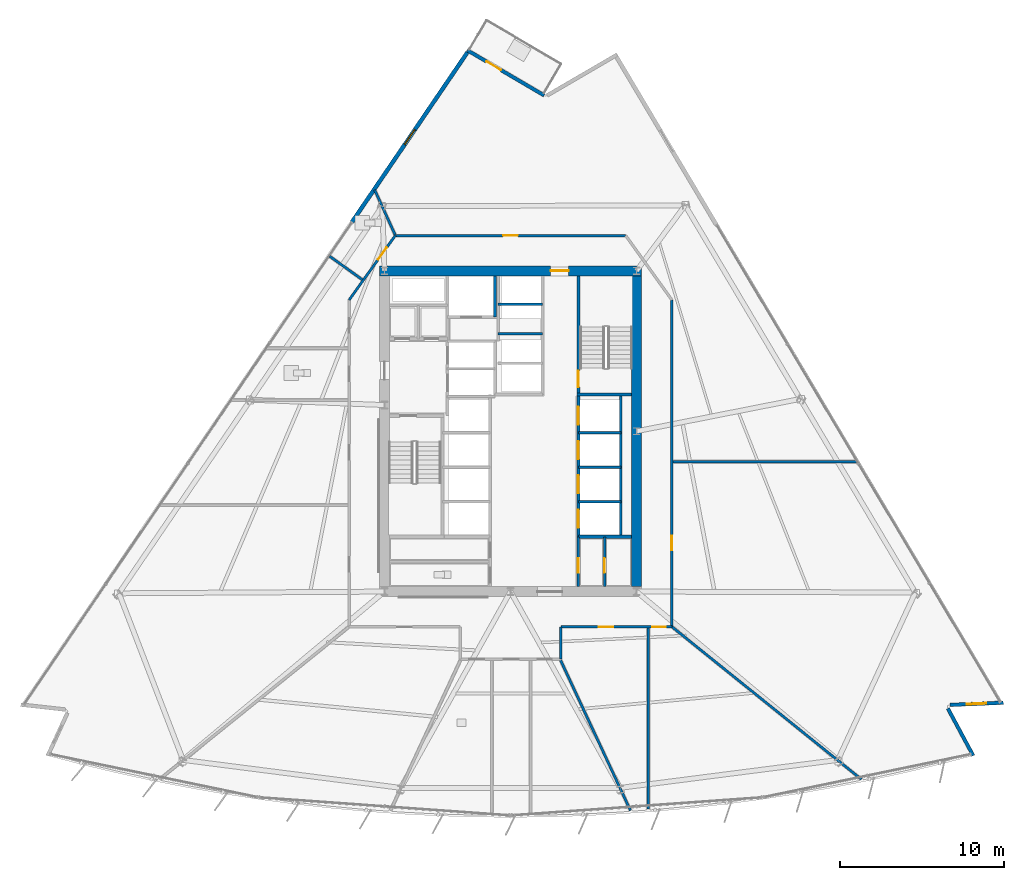
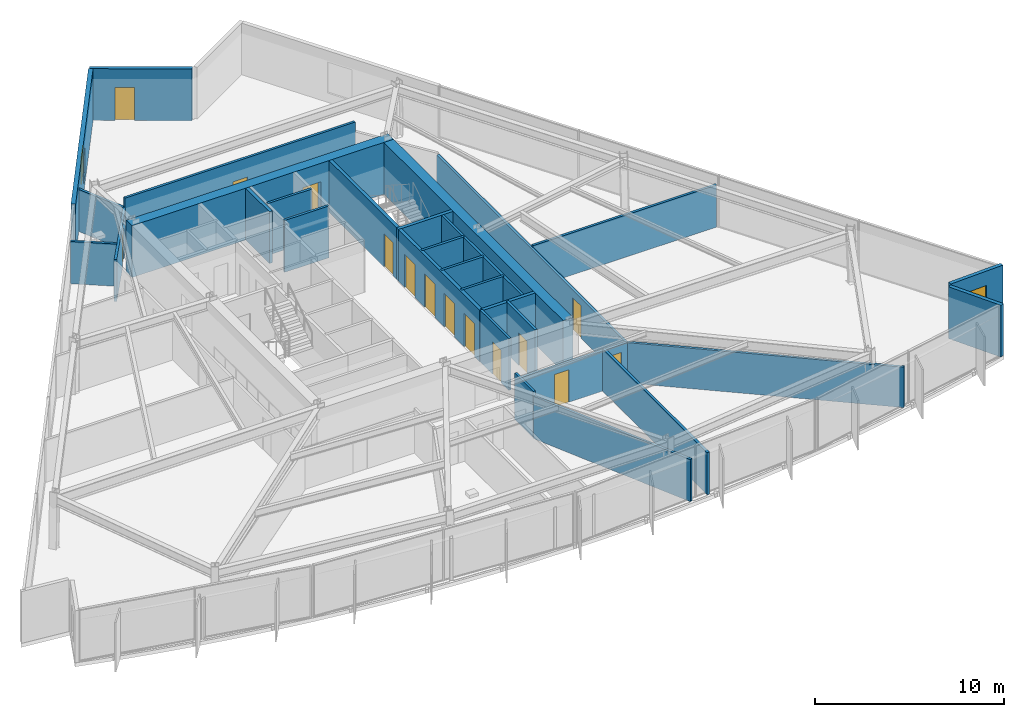
# One storey, part 10 of 18: 30 walls, 14 doors, 2 windows, 16 openings.
"""IFC4 building model written with IfcOpenShell, lengths in metres."""

from ifc_helpers import new_model, si_unit, direction, frame, frame_2d, origin, place, context, subcontext, project, spatial, rectangle, extrude, material, layer, layer_set, type_object, element, fill, save


model = new_model("IFC4")

# Units and contexts
model_context = context("Model", 3, precision=1e-05, world=origin(), true_north=direction((0.0, 1.0)))
body_context = subcontext(model_context, "Body", "Model", "MODEL_VIEW")
ifc_project = project(units=[si_unit("LENGTHUNIT", "METRE"), si_unit("AREAUNIT", "SQUARE_METRE"), si_unit("VOLUMEUNIT", "CUBIC_METRE"), si_unit("PLANEANGLEUNIT", "RADIAN"), si_unit("MASSUNIT", "GRAM", prefix="KILO")], contexts=[model_context])

# Site, building, storey
site_placement = place(None, origin())
site = spatial("IfcSite", under=ifc_project, at=site_placement, CompositionType="ELEMENT")
building_placement = place(site_placement, origin())
building = spatial("IfcBuilding", under=site, at=building_placement, Name="Savorim Split Tower", CompositionType="ELEMENT")
storey_placement = place(building_placement, frame((0.0, 0.0, 40.800048828125)))
storey = spatial("IfcBuildingStorey", under=building, at=storey_placement, Name="L10", CompositionType="ELEMENT", Elevation=40.800048828125)

# Wall, opening, door
ifc_material_1 = material(Name="Concrete C60/75", Category="concrete")
ifc_layer_1 = layer(ifc_material_1, 0.60009765625)
ifc_layer_set_1 = layer_set([ifc_layer_1], Name="WAL-COR-SH600")
wall_type_1 = type_object("IfcWallType", Name="WAL-COR-SH600", PredefinedType="SHEAR", material=ifc_layer_set_1)
wall_1_placement = place(storey_placement, frame((8.0, 10.199951171875, 0.0), z_axis=(0.0, 0.0, 1.0), x_axis=(-1.0, 0.0, 0.0)))
wall_1 = element("IfcWall", 1, at=wall_1_placement, inside=storey, type_object=wall_type_1, Name="L10 Offset Core North Shear Wall", PredefinedType="SHEAR", context=body_context, shape_type="SweptSolid", body=[
    extrude(rectangle(XDim=16.0, YDim=0.60009765625, at=frame_2d((8.0, 0.0))), origin(), (0.0, 0.0, 1.0), 3.349853515625),
])
opening_1_placement = place(wall_1_placement, frame((4.449951171875, 0.0, 0.0)))
opening_1 = element("IfcOpeningElement", 2, at=opening_1_placement, cuts=wall_1, Name="Opening DI-03", PredefinedType="OPENING", context=body_context, shape_type="SweptSolid", body=[
    extrude(rectangle(XDim=1.10009765625, YDim=2.14990234375, at=frame_2d((0.550048828125, 1.074951171875))), frame((0.0, 0.31005859375, 0.0), z_axis=(0.0, -1.0, 0.0), x_axis=(1.0, 0.0, 0.0)), (0.0, 0.0, 1.0), 0.6201171875),
])
ifc_material_2 = material(Name="Timber Fire Door Leaf", Category="wood")
door_type_1 = type_object("IfcDoorType", Name="DOR-FIR-1100", OperationType="NOTDEFINED", PredefinedType="DOOR", material=ifc_material_2)
door_1_placement = place(opening_1_placement, origin())
door_1 = element("IfcDoor", 3, at=door_1_placement, inside=storey, type_object=door_type_1, Name="DOR-L10-COR-NLOB - L10 North Corridor Lobby Fire Door", OperationType="SINGLE_SWING_LEFT", OverallHeight=2.14990234375, OverallWidth=1.10009765625, PredefinedType="DOOR", context=body_context, shape_type="SweptSolid", body=[
    extrude(rectangle(XDim=1.10009765625, YDim=2.14990234375, at=frame_2d((0.550048828125, 1.074951171875))), frame((0.0, 0.02490234375, 0.0), z_axis=(0.0, -1.0, 0.0), x_axis=(1.0, 0.0, 0.0)), (0.0, 0.0, 1.0), 0.050048828125),
])
fill(opening_1, door_1)

# Walls
wall_2_placement = place(storey_placement, frame((7.699951171875, 9.89990234375, 0.0), z_axis=(0.0, 0.0, 1.0), x_axis=(0.0, -1.0, 0.0)))
element("IfcWall", 4, at=wall_2_placement, inside=storey, type_object=wall_type_1, Name="L10 Offset Core East Shear Wall", PredefinedType="SHEAR", context=body_context, shape_type="SweptSolid", body=[
    extrude(rectangle(XDim=19.0, YDim=0.60009765625, at=frame_2d((9.5, 0.0))), origin(), (0.0, 0.0, 1.0), 3.349853515625),
])
ifc_material_3 = material(Name="Precast concrete C40/50", Category="concrete")
ifc_layer_2 = layer(ifc_material_3, 0.219970703125)
ifc_layer_set_2 = layer_set([ifc_layer_2], Name="WAL-EXT-CRN220")
wall_type_2 = type_object("IfcWallType", Name="WAL-EXT-CRN220", PredefinedType="SOLIDWALL", material=ifc_layer_set_2)
wall_3_placement = place(storey_placement, frame((26.729248046875, -16.5400390625, 0.0), z_axis=(0.0, 0.0, 1.0), x_axis=(0.472830429959, -0.881153439819, 0.0)))
element("IfcWall", 5, at=wall_3_placement, inside=storey, type_object=wall_type_2, Name="L10 Notched Corner Facade Wall SE1", PredefinedType="SOLIDWALL", context=body_context, shape_type="SweptSolid", body=[
    extrude(rectangle(XDim=3.27001953125, YDim=0.219970703125, at=frame_2d((1.635009765625, 0.0))), origin(), (0.0, 0.0, 1.0), 3.349853515625),
])

# Wall, opening, window
wall_4_placement = place(storey_placement, frame((30.114990234375, -16.1875, 0.0), z_axis=(0.0, 0.0, 1.0), x_axis=(-0.999095638069, -0.042519477791, 0.0)))
wall_4 = element("IfcWall", 6, at=wall_4_placement, inside=storey, type_object=wall_type_2, Name="L10 Notched Corner Facade Wall SE", PredefinedType="SOLIDWALL", context=body_context, shape_type="SweptSolid", body=[
    extrude(rectangle(XDim=3.26708984375, YDim=0.219970703125, at=frame_2d((1.633544921875, 0.0))), origin(), (0.0, 0.0, 1.0), 3.349853515625),
])
opening_2_placement = place(wall_4_placement, frame((1.033447265625, 0.0, 0.6201171875)))
opening_2 = element("IfcOpeningElement", 7, at=opening_2_placement, cuts=wall_4, Name="Opening WN-08", PredefinedType="OPENING", context=body_context, shape_type="SweptSolid", body=[
    extrude(rectangle(XDim=1.199951171875, YDim=1.800048828125, at=frame_2d((0.60009765625, 0.89990234375))), frame((0.0, 0.119873046875, 0.0), z_axis=(0.0, -1.0, 0.0), x_axis=(1.0, 0.0, 0.0)), (0.0, 0.0, 1.0), 0.239990234375),
])
ifc_material_4 = material(Name="Low-E Operable Double Glazing", Category="glass")
window_type_1 = type_object("IfcWindowType", Name="WIN-TWR-1200x1800", PartitioningType="SINGLE_PANEL", PredefinedType="WINDOW", material=ifc_material_4)
window_1_placement = place(opening_2_placement, origin())
window_1 = element("IfcWindow", 8, at=window_1_placement, inside=storey, type_object=window_type_1, Name="L10 Operable Corner Window SE", OverallHeight=1.800048828125, OverallWidth=1.199951171875, PartitioningType="SINGLE_PANEL", PredefinedType="WINDOW", context=body_context, shape_type="SweptSolid", body=[
    extrude(rectangle(XDim=1.199951171875, YDim=1.800048828125, at=frame_2d((0.60009765625, 0.89990234375))), frame((0.0, 0.030029296875, 0.0), z_axis=(0.0, -1.0, 0.0), x_axis=(1.0, 0.0, 0.0)), (0.0, 0.0, 1.0), 0.06005859375),
])
fill(opening_2, window_1)

# Wall, opening, door
wall_5_placement = place(storey_placement, frame((-2.634765625, 23.681396484375, 0.0), z_axis=(0.0, 0.0, 1.0), x_axis=(0.862126841454, -0.506692519428, 0.0)))
wall_5 = element("IfcWall", 9, at=wall_5_placement, inside=storey, type_object=wall_type_2, Name="L10 Notched Corner Facade Wall N", PredefinedType="SOLIDWALL", context=body_context, shape_type="SweptSolid", body=[
    extrude(rectangle(XDim=5.439453125, YDim=0.219970703125, at=frame_2d((2.7197265625, 0.0))), origin(), (0.0, 0.0, 1.0), 3.349853515625),
])
opening_3_placement = place(wall_5_placement, frame((1.3447265625, 0.0, 0.0)))
opening_3 = element("IfcOpeningElement", 10, at=opening_3_placement, cuts=wall_5, Name="Opening DB-01", PredefinedType="OPENING", context=body_context, shape_type="SweptSolid", body=[
    extrude(rectangle(XDim=1.050048828125, YDim=2.14990234375, at=frame_2d((0.52490234375, 1.074951171875))), frame((0.0, 0.119873046875, 0.0), z_axis=(0.0, -1.0, 0.0), x_axis=(1.0, 0.0, 0.0)), (0.0, 0.0, 1.0), 0.239990234375),
])
ifc_material_5 = material(Name="Charcoal Anodised Aluminium", Category="aluminium")
door_type_2 = type_object("IfcDoorType", Name="DOR-BAL-1050", OperationType="NOTDEFINED", PredefinedType="DOOR", material=ifc_material_5)
door_2_placement = place(opening_3_placement, origin())
door_2 = element("IfcDoor", 11, at=door_2_placement, inside=storey, type_object=door_type_2, Name="DOR-L10-TBAL-N - L10 Planted Tree Balcony Door N", OperationType="SINGLE_SWING_LEFT", OverallHeight=2.14990234375, OverallWidth=1.050048828125, PredefinedType="DOOR", context=body_context, shape_type="SweptSolid", body=[
    extrude(rectangle(XDim=1.050048828125, YDim=2.14990234375, at=frame_2d((0.52490234375, 1.074951171875))), frame((0.0, 0.02490234375, 0.0), z_axis=(0.0, -1.0, 0.0), x_axis=(1.0, 0.0, 0.0)), (0.0, 0.0, 1.0), 0.050048828125),
])
fill(opening_3, door_2)

# Wall, opening, window
ifc_layer_3 = layer(ifc_material_3, 0.25)
ifc_layer_set_3 = layer_set([ifc_layer_3], Name="WAL-EXT-SPN250")
wall_type_3 = type_object("IfcWallType", Name="WAL-EXT-SPN250", PredefinedType="SOLIDWALL", material=ifc_layer_set_3)
wall_6_placement = place(storey_placement, frame((-9.68408203125, 13.19091796875, 0.0), z_axis=(0.0, 0.0, 1.0), x_axis=(0.562473549685, 0.826815279192, 0.0)))
wall_6 = element("IfcWall", 12, at=wall_6_placement, inside=storey, type_object=wall_type_3, Name="L10 West Operable Window Pier", PredefinedType="SOLIDWALL", context=body_context, shape_type="SweptSolid", body=[
    extrude(rectangle(XDim=12.53564453125, YDim=0.25, at=frame_2d((6.267822265625, 0.0))), origin(), (0.0, 0.0, 1.0), 3.349853515625),
])
opening_4_placement = place(wall_6_placement, frame((5.718017578125, 0.0, 0.6201171875)))
opening_4 = element("IfcOpeningElement", 13, at=opening_4_placement, cuts=wall_6, Name="Opening WN-09", PredefinedType="OPENING", context=body_context, shape_type="SweptSolid", body=[
    extrude(rectangle(XDim=1.10009765625, YDim=1.800048828125, at=frame_2d((0.550048828125, 0.89990234375))), frame((0.0, 0.135009765625, 0.0), z_axis=(0.0, -1.0, 0.0), x_axis=(1.0, 0.0, 0.0)), (0.0, 0.0, 1.0), 0.27001953125),
])
window_type_2 = type_object("IfcWindowType", Name="WIN-TWR-1100x1800", PartitioningType="SINGLE_PANEL", PredefinedType="WINDOW", material=ifc_material_4)
window_2_placement = place(opening_4_placement, origin())
window_2 = element("IfcWindow", 14, at=window_2_placement, inside=storey, type_object=window_type_2, Name="L10 West Operable Ventilation Window", OverallHeight=1.800048828125, OverallWidth=1.10009765625, PartitioningType="SINGLE_PANEL", PredefinedType="WINDOW", context=body_context, shape_type="SweptSolid", body=[
    extrude(rectangle(XDim=1.10009765625, YDim=1.800048828125, at=frame_2d((0.550048828125, 0.89990234375))), frame((0.0, 0.030029296875, 0.0), z_axis=(0.0, -1.0, 0.0), x_axis=(1.0, 0.0, 0.0)), (0.0, 0.0, 1.0), 0.06005859375),
])
fill(opening_4, window_2)

# Wall, opening, door
ifc_material_6 = material(Name="Concrete C50/60", Category="concrete")
ifc_layer_4 = layer(ifc_material_6, 0.199951171875)
ifc_layer_set_4 = layer_set([ifc_layer_4], Name="WAL-INT-RC200")
wall_type_4 = type_object("IfcWallType", Name="WAL-INT-RC200", PredefinedType="SOLIDWALL", material=ifc_layer_set_4)
wall_7_placement = place(storey_placement, frame((4.14990234375, 2.75, 0.0), z_axis=(0.0, 0.0, 1.0), x_axis=(0.0, 1.0, 0.0)))
wall_7 = element("IfcWall", 15, at=wall_7_placement, inside=storey, type_object=wall_type_4, Name="L10 Structural Shaft Wall W-L10-CR07", PredefinedType="SOLIDWALL", context=body_context, shape_type="SweptSolid", body=[
    extrude(rectangle(XDim=7.14990234375, YDim=0.199951171875, at=frame_2d((3.574951171875, 0.0))), origin(), (0.0, 0.0, 1.0), 3.349853515625),
])
opening_5_placement = place(wall_7_placement, frame((0.35009765625, 0.0, 0.0)))
opening_5 = element("IfcOpeningElement", 16, at=opening_5_placement, cuts=wall_7, Name="Opening DI-04", PredefinedType="OPENING", context=body_context, shape_type="SweptSolid", body=[
    extrude(rectangle(XDim=1.0, YDim=2.14990234375, at=frame_2d((0.5, 1.074951171875))), frame((0.0, 0.10986328125, 0.0), z_axis=(0.0, -1.0, 0.0), x_axis=(1.0, 0.0, 0.0)), (0.0, 0.0, 1.0), 0.219970703125),
])
door_type_3 = type_object("IfcDoorType", Name="DOR-FIR-1000", OperationType="NOTDEFINED", PredefinedType="DOOR", material=ifc_material_2)
door_3_placement = place(opening_5_placement, origin())
door_3 = element("IfcDoor", 17, at=door_3_placement, inside=storey, type_object=door_type_3, Name="DR-L10-ST2 - L10 Stair ST-2 Enclosure Door", OperationType="SINGLE_SWING_RIGHT", OverallHeight=2.14990234375, OverallWidth=1.0, PredefinedType="DOOR", context=body_context, shape_type="SweptSolid", body=[
    extrude(rectangle(XDim=1.0, YDim=2.14990234375, at=frame_2d((0.5, 1.074951171875))), frame((0.0, 0.02490234375, 0.0), z_axis=(0.0, -1.0, 0.0), x_axis=(1.0, 0.0, 0.0)), (0.0, 0.0, 1.0), 0.050048828125),
])
fill(opening_5, door_3)

# Walls
wall_8_placement = place(storey_placement, frame((4.050048828125, 2.64990234375, 0.0), z_axis=(0.0, 0.0, 1.0), x_axis=(1.0, 0.0, 0.0)))
element("IfcWall", 18, at=wall_8_placement, inside=storey, type_object=wall_type_4, Name="L10 Structural Shaft Wall W-L10-CR08", PredefinedType="SOLIDWALL", context=body_context, shape_type="SweptSolid", body=[
    extrude(rectangle(XDim=3.349853515625, YDim=0.199951171875, at=frame_2d((1.6748046875, 0.0))), origin(), (0.0, 0.0, 1.0), 3.349853515625),
])
wall_9_placement = place(storey_placement, frame((-0.949951171875, 7.3798828125, 0.0), z_axis=(0.0, 0.0, 1.0), x_axis=(0.0, 1.0, 0.0)))
element("IfcWall", 19, at=wall_9_placement, inside=storey, type_object=wall_type_4, Name="L10 Partition W-L10-SVLE", PredefinedType="SOLIDWALL", context=body_context, shape_type="SweptSolid", body=[
    extrude(rectangle(XDim=2.51513671875, YDim=0.199951171875, at=frame_2d((1.257568359375, 0.0))), origin(), (0.0, 0.0, 1.0), 3.349853515625),
])

# Wall, openings, doors
wall_10_placement = place(storey_placement, frame((4.14990234375, -6.050048828125, 0.0), z_axis=(0.0, 0.0, 1.0), x_axis=(0.0, 1.0, 0.0)))
wall_10 = element("IfcWall", 20, at=wall_10_placement, inside=storey, type_object=wall_type_4, Name="L10 Partition W-L10-B1FRONT", PredefinedType="SOLIDWALL", context=body_context, shape_type="SweptSolid", body=[
    extrude(rectangle(XDim=8.699951171875, YDim=0.199951171875, at=frame_2d((4.35009765625, 0.0))), origin(), (0.0, 0.0, 1.0), 3.349853515625),
])
opening_6_placement = place(wall_10_placement, frame((0.550048828125, 0.0, 0.0)))
opening_6 = element("IfcOpeningElement", 21, at=opening_6_placement, cuts=wall_10, Name="Opening LD-01", PredefinedType="OPENING", context=body_context, shape_type="SweptSolid", body=[
    extrude(rectangle(XDim=1.10009765625, YDim=2.14990234375, at=frame_2d((0.550048828125, 1.074951171875))), frame((0.0, 0.10986328125, 0.0), z_axis=(0.0, -1.0, 0.0), x_axis=(1.0, 0.0, 0.0)), (0.0, 0.0, 1.0), 0.219970703125),
])
opening_7_placement = place(wall_10_placement, frame((2.64990234375, 0.0, 0.0)))
opening_7 = element("IfcOpeningElement", 22, at=opening_7_placement, cuts=wall_10, Name="Opening LD-01", PredefinedType="OPENING", context=body_context, shape_type="SweptSolid", body=[
    extrude(rectangle(XDim=1.10009765625, YDim=2.14990234375, at=frame_2d((0.550048828125, 1.074951171875))), frame((0.0, 0.10986328125, 0.0), z_axis=(0.0, -1.0, 0.0), x_axis=(1.0, 0.0, 0.0)), (0.0, 0.0, 1.0), 0.219970703125),
])
opening_8_placement = place(wall_10_placement, frame((4.75, 0.0, 0.0)))
opening_8 = element("IfcOpeningElement", 23, at=opening_8_placement, cuts=wall_10, Name="Opening LD-01", PredefinedType="OPENING", context=body_context, shape_type="SweptSolid", body=[
    extrude(rectangle(XDim=1.10009765625, YDim=2.14990234375, at=frame_2d((0.550048828125, 1.074951171875))), frame((0.0, 0.10986328125, 0.0), z_axis=(0.0, -1.0, 0.0), x_axis=(1.0, 0.0, 0.0)), (0.0, 0.0, 1.0), 0.219970703125),
])
opening_9_placement = place(wall_10_placement, frame((6.85009765625, 0.0, 0.0)))
opening_9 = element("IfcOpeningElement", 24, at=opening_9_placement, cuts=wall_10, Name="Opening LD-01", PredefinedType="OPENING", context=body_context, shape_type="SweptSolid", body=[
    extrude(rectangle(XDim=1.10009765625, YDim=2.14990234375, at=frame_2d((0.550048828125, 1.074951171875))), frame((0.0, 0.10986328125, 0.0), z_axis=(0.0, -1.0, 0.0), x_axis=(1.0, 0.0, 0.0)), (0.0, 0.0, 1.0), 0.219970703125),
])
door_type_4 = type_object("IfcDoorType", Name="DOR-SLD-LD1100", OperationType="NOTDEFINED", PredefinedType="DOOR", material=ifc_material_5)
door_4_placement = place(opening_6_placement, origin())
door_4 = element("IfcDoor", 25, at=door_4_placement, inside=storey, type_object=door_type_4, Name="DR-L10-LD-PLL1 - L10 Lift PL-L1 Sliding Landing Door", OperationType="DOUBLE_DOOR_SLIDING", OverallHeight=2.14990234375, OverallWidth=1.10009765625, PredefinedType="DOOR", context=body_context, shape_type="SweptSolid", body=[
    extrude(rectangle(XDim=1.10009765625, YDim=2.14990234375, at=frame_2d((0.550048828125, 1.074951171875))), frame((0.0, 0.02490234375, 0.0), z_axis=(0.0, -1.0, 0.0), x_axis=(1.0, 0.0, 0.0)), (0.0, 0.0, 1.0), 0.050048828125),
])
fill(opening_6, door_4)
door_5_placement = place(opening_7_placement, origin())
door_5 = element("IfcDoor", 26, at=door_5_placement, inside=storey, type_object=door_type_4, Name="DR-L10-LD-PLL2 - L10 Lift PL-L2 Sliding Landing Door", OperationType="DOUBLE_DOOR_SLIDING", OverallHeight=2.14990234375, OverallWidth=1.10009765625, PredefinedType="DOOR", context=body_context, shape_type="SweptSolid", body=[
    extrude(rectangle(XDim=1.10009765625, YDim=2.14990234375, at=frame_2d((0.550048828125, 1.074951171875))), frame((0.0, 0.02490234375, 0.0), z_axis=(0.0, -1.0, 0.0), x_axis=(1.0, 0.0, 0.0)), (0.0, 0.0, 1.0), 0.050048828125),
])
fill(opening_7, door_5)
door_6_placement = place(opening_8_placement, origin())
door_6 = element("IfcDoor", 27, at=door_6_placement, inside=storey, type_object=door_type_4, Name="DR-L10-LD-PLL3 - L10 Lift PL-L3 Sliding Landing Door", OperationType="DOUBLE_DOOR_SLIDING", OverallHeight=2.14990234375, OverallWidth=1.10009765625, PredefinedType="DOOR", context=body_context, shape_type="SweptSolid", body=[
    extrude(rectangle(XDim=1.10009765625, YDim=2.14990234375, at=frame_2d((0.550048828125, 1.074951171875))), frame((0.0, 0.02490234375, 0.0), z_axis=(0.0, -1.0, 0.0), x_axis=(1.0, 0.0, 0.0)), (0.0, 0.0, 1.0), 0.050048828125),
])
fill(opening_8, door_6)
door_7_placement = place(opening_9_placement, origin())
door_7 = element("IfcDoor", 28, at=door_7_placement, inside=storey, type_object=door_type_4, Name="DR-L10-LD-PLL4 - L10 Lift PL-L4 Sliding Landing Door", OperationType="DOUBLE_DOOR_SLIDING", OverallHeight=2.14990234375, OverallWidth=1.10009765625, PredefinedType="DOOR", context=body_context, shape_type="SweptSolid", body=[
    extrude(rectangle(XDim=1.10009765625, YDim=2.14990234375, at=frame_2d((0.550048828125, 1.074951171875))), frame((0.0, 0.02490234375, 0.0), z_axis=(0.0, -1.0, 0.0), x_axis=(1.0, 0.0, 0.0)), (0.0, 0.0, 1.0), 0.050048828125),
])
fill(opening_9, door_7)

# Walls
wall_11_placement = place(storey_placement, frame((4.14990234375, -6.050048828125, 0.0), z_axis=(0.0, 0.0, 1.0), x_axis=(1.0, 0.0, 0.0)))
element("IfcWall", 29, at=wall_11_placement, inside=storey, type_object=wall_type_4, Name="L10 Partition W-L10-KSEP-E", PredefinedType="SOLIDWALL", context=body_context, shape_type="SweptSolid", body=[
    extrude(rectangle(XDim=3.2451171875, YDim=0.199951171875, at=frame_2d((1.62255859375, 0.0))), origin(), (0.0, 0.0, 1.0), 3.349853515625),
])
ifc_material_7 = material(Name="Acoustic Gypsum Partition Board")
ifc_layer_5 = layer(ifc_material_7, 0.14990234375)
ifc_layer_set_5 = layer_set([ifc_layer_5], Name="WAL-PAR-150")
wall_type_5 = type_object("IfcWallType", Name="WAL-PAR-150", PredefinedType="PARTITIONING", material=ifc_layer_set_5)
wall_12_placement = place(storey_placement, frame((6.75, -6.050048828125, 0.0), z_axis=(0.0, 0.0, 1.0), x_axis=(0.0, 1.0, 0.0)))
element("IfcWall", 30, at=wall_12_placement, inside=storey, type_object=wall_type_5, Name="L10 Partition W-L10-B1BACK", PredefinedType="PARTITIONING", context=body_context, shape_type="SweptSolid", body=[
    extrude(rectangle(XDim=8.699951171875, YDim=0.14990234375, at=frame_2d((4.35009765625, 0.0))), origin(), (0.0, 0.0, 1.0), 3.349853515625),
])
for number, where, z_axis, x_axis, name in (
    (31, (4.14990234375, -3.89990234375, 0.0), (0.0, 0.0, 1.0), (1.0, 0.0, 0.0), "L10 Partition W-L10-B1DIV1"),
    (32, (4.14990234375, -1.800048828125, 0.0), (0.0, 0.0, 1.0), (1.0, 0.0, 0.0), "L10 Partition W-L10-B1DIV2"),
    (33, (4.14990234375, 0.300048828125, 0.0), (0.0, 0.0, 1.0), (1.0, 0.0, 0.0), "L10 Partition W-L10-B1DIV3"),
):
    element("IfcWall", number, at=place(storey_placement, frame(where, z_axis=z_axis, x_axis=x_axis)), inside=storey, type_object=wall_type_5, Name=name, PredefinedType="PARTITIONING", context=body_context, shape_type="SweptSolid", body=[
        extrude(rectangle(XDim=2.60009765625, YDim=0.14990234375, at=frame_2d((1.300048828125, 0.0))), origin(), (0.0, 0.0, 1.0), 3.349853515625),
    ])
for number, where, z_axis, x_axis, name in (
    (34, (-0.75, 6.35009765625, 0.0), (0.0, 0.0, 1.0), (1.0, 0.0, 0.0), "L10 Partition W-L10-B3DIV2"),
    (35, (-0.75, 8.14990234375, 0.0), (0.0, 0.0, 1.0), (1.0, 0.0, 0.0), "L10 Partition W-L10-B3DIV3"),
):
    element("IfcWall", number, at=place(storey_placement, frame(where, z_axis=z_axis, x_axis=x_axis)), inside=storey, type_object=wall_type_5, Name=name, PredefinedType="PARTITIONING", context=body_context, shape_type="SweptSolid", body=[
        extrude(rectangle(XDim=2.699951171875, YDim=0.14990234375, at=frame_2d((1.35009765625, 0.0))), origin(), (0.0, 0.0, 1.0), 3.349853515625),
    ])

# Wall, opening, door
wall_13_placement = place(storey_placement, frame((4.14990234375, -9.094970703125, 0.0), z_axis=(0.0, 0.0, 1.0), x_axis=(0.0, 1.0, 0.0)))
wall_13 = element("IfcWall", 36, at=wall_13_placement, inside=storey, type_object=wall_type_5, Name="L10 Partition W-L10-KLOB-E", PredefinedType="PARTITIONING", context=body_context, shape_type="SweptSolid", body=[
    extrude(rectangle(XDim=3.044921875, YDim=0.14990234375, at=frame_2d((1.5224609375, 0.0))), origin(), (0.0, 0.0, 1.0), 3.349853515625),
])
opening_10_placement = place(wall_13_placement, frame((0.844970703125, 0.0, 0.0)))
opening_10 = element("IfcOpeningElement", 37, at=opening_10_placement, cuts=wall_13, Name="Opening DI-06", PredefinedType="OPENING", context=body_context, shape_type="SweptSolid", body=[
    extrude(rectangle(XDim=0.89990234375, YDim=2.10009765625, at=frame_2d((0.449951171875, 1.050048828125))), frame((0.0, 0.0849609375, 0.0), z_axis=(0.0, -1.0, 0.0), x_axis=(1.0, 0.0, 0.0)), (0.0, 0.0, 1.0), 0.169921875),
])
door_type_5 = type_object("IfcDoorType", Name="DOR-FIR-900", OperationType="NOTDEFINED", PredefinedType="DOOR", material=ifc_material_2)
door_8_placement = place(opening_10_placement, origin())
door_8 = element("IfcDoor", 38, at=door_8_placement, inside=storey, type_object=door_type_5, Name="DR-L10-K2PAN - L10 Vending Pantry Door", OperationType="SINGLE_SWING_LEFT", OverallHeight=2.10009765625, OverallWidth=0.89990234375, PredefinedType="DOOR", context=body_context, shape_type="SweptSolid", body=[
    extrude(rectangle(XDim=0.89990234375, YDim=2.10009765625, at=frame_2d((0.449951171875, 1.050048828125))), frame((0.0, 0.02490234375, 0.0), z_axis=(0.0, -1.0, 0.0), x_axis=(1.0, 0.0, 0.0)), (0.0, 0.0, 1.0), 0.050048828125),
])
fill(opening_10, door_8)

wall_14_placement = place(storey_placement, frame((5.75, -9.094970703125, 0.0), z_axis=(0.0, 0.0, 1.0), x_axis=(0.0, 1.0, 0.0)))
wall_14 = element("IfcWall", 39, at=wall_14_placement, inside=storey, type_object=wall_type_5, Name="L10 Partition W-L10-K2E", PredefinedType="PARTITIONING", context=body_context, shape_type="SweptSolid", body=[
    extrude(rectangle(XDim=3.044921875, YDim=0.14990234375, at=frame_2d((1.5224609375, 0.0))), origin(), (0.0, 0.0, 1.0), 3.349853515625),
])
opening_11_placement = place(wall_14_placement, frame((0.844970703125, 0.0, 0.0)))
opening_11 = element("IfcOpeningElement", 40, at=opening_11_placement, cuts=wall_14, Name="Opening DI-06", PredefinedType="OPENING", context=body_context, shape_type="SweptSolid", body=[
    extrude(rectangle(XDim=0.89990234375, YDim=2.10009765625, at=frame_2d((0.449951171875, 1.050048828125))), frame((0.0, 0.0849609375, 0.0), z_axis=(0.0, -1.0, 0.0), x_axis=(1.0, 0.0, 0.0)), (0.0, 0.0, 1.0), 0.169921875),
])
door_9_placement = place(opening_11_placement, origin())
door_9 = element("IfcDoor", 41, at=door_9_placement, inside=storey, type_object=door_type_5, Name="DR-L10-K2REF - L10 Recycling Room Door", OperationType="SINGLE_SWING_RIGHT", OverallHeight=2.10009765625, OverallWidth=0.89990234375, PredefinedType="DOOR", context=body_context, shape_type="SweptSolid", body=[
    extrude(rectangle(XDim=0.89990234375, YDim=2.10009765625, at=frame_2d((0.449951171875, 1.050048828125))), frame((0.0, 0.02490234375, 0.0), z_axis=(0.0, -1.0, 0.0), x_axis=(1.0, 0.0, 0.0)), (0.0, 0.0, 1.0), 0.050048828125),
])
fill(opening_11, door_9)

wall_15_placement = place(storey_placement, frame((-9.860107421875, 8.42578125, 0.0), z_axis=(0.0, 0.0, 1.0), x_axis=(0.582449511476, 0.812866881218, 0.0)))
wall_15 = element("IfcWall", 42, at=wall_15_placement, inside=storey, type_object=wall_type_5, Name="L10 Partition W-L10-COR-02", PredefinedType="PARTITIONING", context=body_context, shape_type="SweptSolid", body=[
    extrude(rectangle(XDim=4.840087890625, YDim=0.14990234375, at=frame_2d((2.419921875, 0.0))), origin(), (0.0, 0.0, 1.0), 2.724853515625),
])
opening_12_placement = place(wall_15_placement, frame((3.0380859375, 0.0, 0.0)))
opening_12 = element("IfcOpeningElement", 43, at=opening_12_placement, cuts=wall_15, Name="Opening DI-11", PredefinedType="OPENING", context=body_context, shape_type="SweptSolid", body=[
    extrude(rectangle(XDim=0.89990234375, YDim=2.10009765625, at=frame_2d((0.449951171875, 1.050048828125))), frame((0.0, 0.0849609375, 0.0), z_axis=(0.0, -1.0, 0.0), x_axis=(1.0, 0.0, 0.0)), (0.0, 0.0, 1.0), 0.169921875),
])
ifc_material_8 = material(Name="Oak Veneer Acoustic Door")
door_type_6 = type_object("IfcDoorType", Name="DOR-WC-900", OperationType="NOTDEFINED", PredefinedType="DOOR", material=ifc_material_8)
door_10_placement = place(opening_12_placement, origin())
door_10 = element("IfcDoor", 44, at=door_10_placement, inside=storey, type_object=door_type_6, Name="DR-L10-RM11 - L10 Shared Bathroom Entry Door", OperationType="SINGLE_SWING_RIGHT", OverallHeight=2.10009765625, OverallWidth=0.89990234375, PredefinedType="DOOR", context=body_context, shape_type="SweptSolid", body=[
    extrude(rectangle(XDim=0.89990234375, YDim=2.10009765625, at=frame_2d((0.449951171875, 1.050048828125))), frame((0.0, 0.02490234375, 0.0), z_axis=(0.0, -1.0, 0.0), x_axis=(1.0, 0.0, 0.0)), (0.0, 0.0, 1.0), 0.050048828125),
])
fill(opening_12, door_10)

wall_16_placement = place(storey_placement, frame((-7.041015625, 12.360107421875, 0.0), z_axis=(0.0, 0.0, 1.0), x_axis=(1.0, 0.0, 0.0)))
wall_16 = element("IfcWall", 45, at=wall_16_placement, inside=storey, type_object=wall_type_5, Name="L10 Partition W-L10-COR-03", PredefinedType="PARTITIONING", context=body_context, shape_type="SweptSolid", body=[
    extrude(rectangle(XDim=14.08203125, YDim=0.14990234375, at=frame_2d((7.041015625, 0.0))), origin(), (0.0, 0.0, 1.0), 3.349853515625),
])
opening_13_placement = place(wall_16_placement, frame((6.591064453125, 0.0, 0.0)))
opening_13 = element("IfcOpeningElement", 46, at=opening_13_placement, cuts=wall_16, Name="Opening DI-06", PredefinedType="OPENING", context=body_context, shape_type="SweptSolid", body=[
    extrude(rectangle(XDim=0.89990234375, YDim=2.10009765625, at=frame_2d((0.449951171875, 1.050048828125))), frame((0.0, 0.0849609375, 0.0), z_axis=(0.0, -1.0, 0.0), x_axis=(1.0, 0.0, 0.0)), (0.0, 0.0, 1.0), 0.169921875),
])
door_11_placement = place(opening_13_placement, origin())
door_11 = element("IfcDoor", 47, at=door_11_placement, inside=storey, type_object=door_type_5, Name="DR-L10-RM10 - L10 Co-Working Commons Entry Door", OperationType="SINGLE_SWING_LEFT", OverallHeight=2.10009765625, OverallWidth=0.89990234375, PredefinedType="DOOR", context=body_context, shape_type="SweptSolid", body=[
    extrude(rectangle(XDim=0.89990234375, YDim=2.10009765625, at=frame_2d((0.449951171875, 1.050048828125))), frame((0.0, 0.02490234375, 0.0), z_axis=(0.0, -1.0, 0.0), x_axis=(1.0, 0.0, 0.0)), (0.0, 0.0, 1.0), 0.050048828125),
])
fill(opening_13, door_11)

wall_17_placement = place(storey_placement, frame((9.860107421875, 8.42578125, 0.0), z_axis=(0.0, 0.0, 1.0), x_axis=(0.0, -1.0, 0.0)))
wall_17 = element("IfcWall", 48, at=wall_17_placement, inside=storey, type_object=wall_type_5, Name="L10 Partition W-L10-COR-05", PredefinedType="PARTITIONING", context=body_context, shape_type="SweptSolid", body=[
    extrude(rectangle(XDim=19.98583984375, YDim=0.14990234375, at=frame_2d((9.992919921875, 0.0))), origin(), (0.0, 0.0, 1.0), 2.60888671875),
])
opening_14_placement = place(wall_17_placement, frame((14.399169921875, 0.0, 0.0)))
opening_14 = element("IfcOpeningElement", 49, at=opening_14_placement, cuts=wall_17, Name="Opening DI-06", PredefinedType="OPENING", context=body_context, shape_type="SweptSolid", body=[
    extrude(rectangle(XDim=0.89990234375, YDim=2.10009765625, at=frame_2d((0.449951171875, 1.050048828125))), frame((0.0, 0.0849609375, 0.0), z_axis=(0.0, -1.0, 0.0), x_axis=(1.0, 0.0, 0.0)), (0.0, 0.0, 1.0), 0.169921875),
])
door_12_placement = place(opening_14_placement, origin())
door_12 = element("IfcDoor", 50, at=door_12_placement, inside=storey, type_object=door_type_5, Name="DR-L10-RM09 - L10 Co-Working Commons Entry Door", OperationType="SINGLE_SWING_RIGHT", OverallHeight=2.10009765625, OverallWidth=0.89990234375, PredefinedType="DOOR", context=body_context, shape_type="SweptSolid", body=[
    extrude(rectangle(XDim=0.89990234375, YDim=2.10009765625, at=frame_2d((0.449951171875, 1.050048828125))), frame((0.0, 0.02490234375, 0.0), z_axis=(0.0, -1.0, 0.0), x_axis=(1.0, 0.0, 0.0)), (0.0, 0.0, 1.0), 0.050048828125),
])
fill(opening_14, door_12)

# Wall, openings, doors
wall_18_placement = place(storey_placement, frame((9.860107421875, -11.56005859375, 0.0), z_axis=(0.0, 0.0, 1.0), x_axis=(-1.0, 0.0, 0.0)))
wall_18 = element("IfcWall", 51, at=wall_18_placement, inside=storey, type_object=wall_type_5, Name="L10 Partition W-L10-COR-06", PredefinedType="PARTITIONING", context=body_context, shape_type="SweptSolid", body=[
    extrude(rectangle(XDim=6.780029296875, YDim=0.14990234375, at=frame_2d((3.39013671875, 0.0))), origin(), (0.0, 0.0, 1.0), 2.60888671875),
])
opening_15_placement = place(wall_18_placement, frame((3.57080078125, 0.0, 0.0)))
opening_15 = element("IfcOpeningElement", 52, at=opening_15_placement, cuts=wall_18, Name="Opening DI-06", PredefinedType="OPENING", context=body_context, shape_type="SweptSolid", body=[
    extrude(rectangle(XDim=0.89990234375, YDim=2.10009765625, at=frame_2d((0.449951171875, 1.050048828125))), frame((0.0, 0.0849609375, 0.0), z_axis=(0.0, -1.0, 0.0), x_axis=(1.0, 0.0, 0.0)), (0.0, 0.0, 1.0), 0.169921875),
])
opening_16_placement = place(wall_18_placement, frame((0.359130859375, 0.0, 0.0)))
opening_16 = element("IfcOpeningElement", 53, at=opening_16_placement, cuts=wall_18, Name="Opening DI-13", PredefinedType="OPENING", context=body_context, shape_type="SweptSolid", body=[
    extrude(rectangle(XDim=0.85009765625, YDim=2.10009765625, at=frame_2d((0.425048828125, 1.050048828125))), frame((0.0, 0.0849609375, 0.0), z_axis=(0.0, -1.0, 0.0), x_axis=(1.0, 0.0, 0.0)), (0.0, 0.0, 1.0), 0.169921875),
])
door_type_7 = type_object("IfcDoorType", Name="DOR-FIR-850", OperationType="NOTDEFINED", PredefinedType="DOOR", material=ifc_material_2)
door_13_placement = place(opening_16_placement, origin())
door_13 = element("IfcDoor", 54, at=door_13_placement, inside=storey, type_object=door_type_7, Name="DR-L10-RM08 - L10 Co-Working Commons Entry Door", OperationType="SINGLE_SWING_LEFT", OverallHeight=2.10009765625, OverallWidth=0.85009765625, PredefinedType="DOOR", context=body_context, shape_type="SweptSolid", body=[
    extrude(rectangle(XDim=0.85009765625, YDim=2.10009765625, at=frame_2d((0.425048828125, 1.050048828125))), frame((0.0, 0.02490234375, 0.0), z_axis=(0.0, -1.0, 0.0), x_axis=(1.0, 0.0, 0.0)), (0.0, 0.0, 1.0), 0.050048828125),
])
fill(opening_16, door_13)
door_14_placement = place(opening_15_placement, origin())
door_14 = element("IfcDoor", 55, at=door_14_placement, inside=storey, type_object=door_type_5, Name="DR-L10-RM07 - L10 Co-Working Commons Entry Door", OperationType="SINGLE_SWING_RIGHT", OverallHeight=2.10009765625, OverallWidth=0.89990234375, PredefinedType="DOOR", context=body_context, shape_type="SweptSolid", body=[
    extrude(rectangle(XDim=0.89990234375, YDim=2.10009765625, at=frame_2d((0.449951171875, 1.050048828125))), frame((0.0, 0.02490234375, 0.0), z_axis=(0.0, -1.0, 0.0), x_axis=(1.0, 0.0, 0.0)), (0.0, 0.0, 1.0), 0.050048828125),
])
fill(opening_15, door_14)

# Walls
wall_19_placement = place(storey_placement, frame((3.080078125, -11.56005859375, 0.0), z_axis=(0.0, 0.0, 1.0), x_axis=(0.0, -1.0, 0.0)))
element("IfcWall", 56, at=wall_19_placement, inside=storey, type_object=wall_type_5, Name="L10 Partition W-L10-COR-07", PredefinedType="PARTITIONING", context=body_context, shape_type="SweptSolid", body=[
    extrude(rectangle(XDim=1.969970703125, YDim=0.14990234375, at=frame_2d((0.98486328125, 0.0))), origin(), (0.0, 0.0, 1.0), 2.994873046875),
])
wall_20_placement = place(storey_placement, frame((3.053466796875, -13.5791015625, 0.0), z_axis=(0.0, 0.0, 1.0), x_axis=(0.42179011739, -0.906693496653, 0.0)))
element("IfcWall", 57, at=wall_20_placement, inside=storey, type_object=wall_type_5, Name="L10 Partition W-L10-PRAD03", PredefinedType="PARTITIONING", context=body_context, shape_type="SweptSolid", body=[
    extrude(rectangle(XDim=10.142578125, YDim=0.14990234375, at=frame_2d((5.0712890625, 0.0))), origin(), (0.0, 0.0, 1.0), 2.724853515625),
])
wall_21_placement = place(storey_placement, frame((9.88818359375, -11.568603515625, 0.0), z_axis=(0.0, 0.0, 1.0), x_axis=(0.778962871417, -0.627070047884, 0.0)))
element("IfcWall", 58, at=wall_21_placement, inside=storey, type_object=wall_type_5, Name="L10 Partition W-L10-PRAD04", PredefinedType="PARTITIONING", context=body_context, shape_type="SweptSolid", body=[
    extrude(rectangle(XDim=14.837158203125, YDim=0.14990234375, at=frame_2d((7.41845703125, 0.0))), origin(), (0.0, 0.0, 1.0), 2.60888671875),
])
wall_22_placement = place(storey_placement, frame((-7.052734375, 12.4091796875, 0.0), z_axis=(0.0, 0.0, 1.0), x_axis=(-0.414225633465, 0.910174227596, 0.0)))
element("IfcWall", 59, at=wall_22_placement, inside=storey, type_object=wall_type_5, Name="L10 Partition W-L10-PRAD08", PredefinedType="PARTITIONING", context=body_context, shape_type="SweptSolid", body=[
    extrude(rectangle(XDim=3.00244140625, YDim=0.14990234375, at=frame_2d((1.501220703125, 0.0))), origin(), (0.0, 0.0, 1.0), 2.724853515625),
])
wall_23_placement = place(storey_placement, frame((-9.0498046875, 9.6591796875, 0.0), z_axis=(0.0, 0.0, 1.0), x_axis=(-0.812854692653, 0.582466521468, 0.0)))
element("IfcWall", 60, at=wall_23_placement, inside=storey, type_object=wall_type_5, Name="L10 Partition W-L10-SUB02", PredefinedType="PARTITIONING", context=body_context, shape_type="SweptSolid", body=[
    extrude(rectangle(XDim=2.461669921875, YDim=0.14990234375, at=frame_2d((1.23095703125, 0.0))), origin(), (0.0, 0.0, 1.0), 2.73486328125),
])
wall_24_placement = place(storey_placement, frame((8.420166015625, -11.6201171875, 0.0), z_axis=(0.0, 0.0, 1.0), x_axis=(0.0, -1.0, 0.0)))
element("IfcWall", 61, at=wall_24_placement, inside=storey, type_object=wall_type_5, Name="L10 Partition W-L10-SUB05", PredefinedType="PARTITIONING", context=body_context, shape_type="SweptSolid", body=[
    extrude(rectangle(XDim=11.077392578125, YDim=0.14990234375, at=frame_2d((5.53857421875, 0.0))), origin(), (0.0, 0.0, 1.0), 2.73486328125),
])
wall_25_placement = place(storey_placement, frame((9.919921875, -1.46533203125, 0.0), z_axis=(0.0, 0.0, 1.0), x_axis=(1.0, 0.0, 0.0)))
element("IfcWall", 62, at=wall_25_placement, inside=storey, type_object=wall_type_5, Name="L10 Partition W-L10-SUB06", PredefinedType="PARTITIONING", context=body_context, shape_type="SweptSolid", body=[
    extrude(rectangle(XDim=11.218017578125, YDim=0.14990234375, at=frame_2d((5.60888671875, 0.0))), origin(), (0.0, 0.0, 1.0), 2.724853515625),
])

save(model, "model.ifc")
